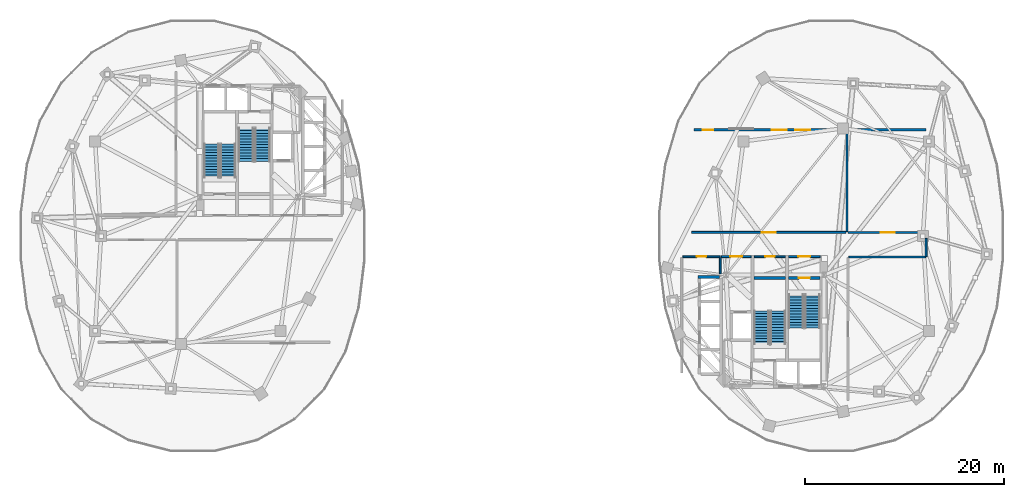
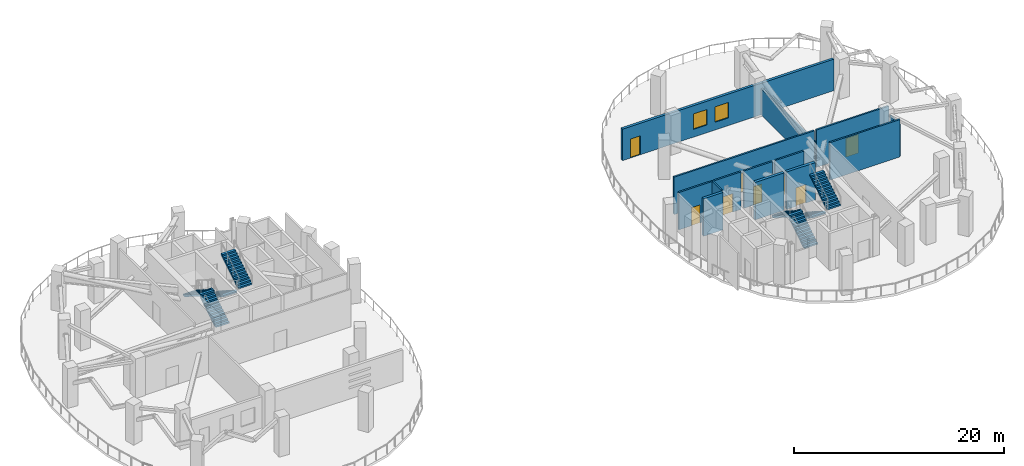
# One storey, part 7 of 12: 14 walls, 8 doors, 8 stair flights, 2 windows, 10 openings, 4 elements without a shape of their own.
"""IFC4 building model written with IfcOpenShell, lengths in metres."""

from ifc_helpers import new_model, si_unit, direction, frame, frame_2d, origin, place, context, subcontext, project, spatial, polyline, rectangle, outline, extrude, material, layer, layer_set, type_object, element, fill, aggregate, save


model = new_model("IFC4")

# Units and contexts
model_context = context("Model", 3, precision=1e-05, world=origin(), true_north=direction((0.0, 1.0)))
body_context = subcontext(model_context, "Body", "Model", "MODEL_VIEW")
ifc_project = project(units=[si_unit("LENGTHUNIT", "METRE"), si_unit("AREAUNIT", "SQUARE_METRE"), si_unit("VOLUMEUNIT", "CUBIC_METRE"), si_unit("PLANEANGLEUNIT", "RADIAN"), si_unit("MASSUNIT", "GRAM", prefix="KILO"), si_unit("THERMODYNAMICTEMPERATUREUNIT", "KELVIN"), si_unit("POWERUNIT", "WATT")], contexts=[model_context])

# Site, building, storey
site_placement = place(None, origin())
site = spatial("IfcSite", under=ifc_project, at=site_placement, CompositionType="ELEMENT")
building_placement = place(site_placement, origin())
building = spatial("IfcBuilding", under=site, at=building_placement, Name="Cundina Bronze Exchange", CompositionType="ELEMENT")
storey_placement = place(building_placement, frame((0.0, 0.0, 132.199951171875)))
storey = spatial("IfcBuildingStorey", under=building, at=storey_placement, Name="L34", CompositionType="ELEMENT", Elevation=132.199951171875)

# Wall
ifc_material_1 = material(Name="Gypsum Fireboard Partition EI120")
ifc_layer_1 = layer(ifc_material_1, 0.179931640625, Name="Gypsum Fireboard Partition EI120")
ifc_layer_set_1 = layer_set([ifc_layer_1], Name="Gypsum Fireboard Partition EI120")
wall_type_1 = type_object("IfcWallType", Name="WL-COR-180", PredefinedType="PARTITIONING", material=ifc_layer_set_1)
wall_1_placement = place(storey_placement, frame((20.889892578125, -3.800048828125, 0.0), z_axis=(0.0, 0.0, 1.0), x_axis=(0.0, 1.0, 0.0)))
element("IfcWall", 1, at=wall_1_placement, inside=storey, type_object=wall_type_1, Name="L34 E Firefighting Lobby Side Wall", PredefinedType="PARTITIONING", context=body_context, shape_type="SweptSolid", body=[
    extrude(rectangle(XDim=1.650146484375, YDim=0.179931640625, at=frame_2d((0.8251953125, 0.0))), origin(), (0.0, 0.0, 1.0), 4.360107421875),
])

# Wall, opening, door
wall_2_placement = place(storey_placement, frame((20.97998046875, -2.06005859375, 0.0), z_axis=(0.0, 0.0, 1.0), x_axis=(1.0, 0.0, 0.0)))
wall_2 = element("IfcWall", 2, at=wall_2_placement, inside=storey, type_object=wall_type_1, Name="L34 E Firefighting Lobby Exit Wall", PredefinedType="PARTITIONING", context=body_context, shape_type="SweptSolid", body=[
    extrude(rectangle(XDim=3.0, YDim=0.179931640625, at=frame_2d((1.5, 0.0))), origin(), (0.0, 0.0, 1.0), 4.360107421875),
])
opening_1_placement = place(wall_2_placement, frame((0.89990234375, 0.0, 0.0)))
opening_1 = element("IfcOpeningElement", 3, at=opening_1_placement, cuts=wall_2, Name="Opening DF-01", PredefinedType="OPENING", context=body_context, shape_type="SweptSolid", body=[
    extrude(rectangle(XDim=1.199951171875, YDim=2.14990234375, at=frame_2d((0.60009765625, 1.074951171875))), frame((0.0, 0.099853515625, 0.0), z_axis=(0.0, -1.0, 0.0), x_axis=(1.0, 0.0, 0.0)), (0.0, 0.0, 1.0), 0.199951171875),
])
ifc_material_2 = material(Name="Steel ASTM A36 Painted", Category="steel")
door_type_1 = type_object("IfcDoorType", Name="DR-FFL-1200", OperationType="NOTDEFINED", PredefinedType="DOOR", material=ifc_material_2)
door_1_placement = place(opening_1_placement, origin())
door_1 = element("IfcDoor", 4, at=door_1_placement, inside=storey, type_object=door_type_1, Name="L34 E Firefighting Lobby Door", OperationType="SINGLE_SWING_LEFT", OverallHeight=2.14990234375, OverallWidth=1.199951171875, PredefinedType="DOOR", context=body_context, shape_type="SweptSolid", body=[
    extrude(rectangle(XDim=1.199951171875, YDim=2.14990234375, at=frame_2d((0.60009765625, 1.074951171875))), frame((0.0, 0.02490234375, 0.0), z_axis=(0.0, -1.0, 0.0), x_axis=(1.0, 0.0, 0.0)), (0.0, 0.0, 1.0), 0.050048828125),
])
fill(opening_1, door_1)

wall_3_placement = place(storey_placement, frame((27.739990234375, -2.06005859375, 0.0), z_axis=(0.0, 0.0, 1.0), x_axis=(1.0, 0.0, 0.0)))
wall_3 = element("IfcWall", 5, at=wall_3_placement, inside=storey, type_object=wall_type_1, Name="L34 E Stair Vestibule Exit Wall", PredefinedType="PARTITIONING", context=body_context, shape_type="SweptSolid", body=[
    extrude(rectangle(XDim=3.159912109375, YDim=0.179931640625, at=frame_2d((1.580078125, 0.0))), origin(), (0.0, 0.0, 1.0), 4.360107421875),
])
opening_2_placement = place(wall_3_placement, frame((0.97998046875, 0.0, 0.0)))
opening_2 = element("IfcOpeningElement", 6, at=opening_2_placement, cuts=wall_3, Name="Opening DF-01", PredefinedType="OPENING", context=body_context, shape_type="SweptSolid", body=[
    extrude(rectangle(XDim=1.199951171875, YDim=2.14990234375, at=frame_2d((0.60009765625, 1.074951171875))), frame((0.0, 0.099853515625, 0.0), z_axis=(0.0, -1.0, 0.0), x_axis=(1.0, 0.0, 0.0)), (0.0, 0.0, 1.0), 0.199951171875),
])
door_2_placement = place(opening_2_placement, origin())
door_2 = element("IfcDoor", 7, at=door_2_placement, inside=storey, type_object=door_type_1, Name="L34 E Stair Vestibule Door", OperationType="SINGLE_SWING_RIGHT", OverallHeight=2.14990234375, OverallWidth=1.199951171875, PredefinedType="DOOR", context=body_context, shape_type="SweptSolid", body=[
    extrude(rectangle(XDim=1.199951171875, YDim=2.14990234375, at=frame_2d((0.60009765625, 1.074951171875))), frame((0.0, 0.02490234375, 0.0), z_axis=(0.0, -1.0, 0.0), x_axis=(1.0, 0.0, 0.0)), (0.0, 0.0, 1.0), 0.050048828125),
])
fill(opening_2, door_2)

wall_4_placement = place(storey_placement, frame((17.1201171875, -2.070068359375, 0.0), z_axis=(0.0, 0.0, 1.0), x_axis=(1.0, 0.0, 0.0)))
wall_4 = element("IfcWall", 8, at=wall_4_placement, inside=storey, type_object=wall_type_1, Name="L34 Interior Partition 015", PredefinedType="PARTITIONING", context=body_context, shape_type="SweptSolid", body=[
    extrude(rectangle(XDim=3.75, YDim=0.179931640625, at=frame_2d((1.875, 0.0))), origin(), (0.0, 0.0, 1.0), 4.360107421875),
])
opening_3_placement = place(wall_4_placement, frame((1.39990234375, 0.0, 0.0)))
opening_3 = element("IfcOpeningElement", 9, at=opening_3_placement, cuts=wall_4, Name="Opening DW-01", PredefinedType="OPENING", context=body_context, shape_type="SweptSolid", body=[
    extrude(rectangle(XDim=0.949951171875, YDim=2.10009765625, at=frame_2d((0.47509765625, 1.050048828125))), frame((0.0, 0.099853515625, 0.0), z_axis=(0.0, -1.0, 0.0), x_axis=(1.0, 0.0, 0.0)), (0.0, 0.0, 1.0), 0.199951171875),
])
ifc_material_3 = material(Name="Solid Andean Oak Timber Grade A", Category="wood")
door_type_2 = type_object("IfcDoorType", Name="DR-WC-950", OperationType="NOTDEFINED", PredefinedType="DOOR", material=ifc_material_3)
door_3_placement = place(opening_3_placement, origin())
door_3 = element("IfcDoor", 10, at=door_3_placement, inside=storey, type_object=door_type_2, Name="L34 Interior Door 015", OperationType="SINGLE_SWING_RIGHT", OverallHeight=2.10009765625, OverallWidth=0.949951171875, PredefinedType="DOOR", context=body_context, shape_type="SweptSolid", body=[
    extrude(rectangle(XDim=0.949951171875, YDim=2.10009765625, at=frame_2d((0.47509765625, 1.050048828125))), frame((0.0, 0.02490234375, 0.0), z_axis=(0.0, -1.0, 0.0), x_axis=(1.0, 0.0, 0.0)), (0.0, 0.0, 1.0), 0.050048828125),
])
fill(opening_3, door_3)

wall_5_placement = place(storey_placement, frame((24.300048828125, -2.070068359375, 0.0), z_axis=(0.0, 0.0, 1.0), x_axis=(1.0, 0.0, 0.0)))
wall_5 = element("IfcWall", 11, at=wall_5_placement, inside=storey, type_object=wall_type_1, Name="L34 Interior Partition 019", PredefinedType="PARTITIONING", context=body_context, shape_type="SweptSolid", body=[
    extrude(rectangle(XDim=3.119873046875, YDim=0.179931640625, at=frame_2d((1.56005859375, 0.0))), origin(), (0.0, 0.0, 1.0), 4.360107421875),
])
opening_4_placement = place(wall_5_placement, frame((1.0849609375, 0.0, 0.0)))
opening_4 = element("IfcOpeningElement", 12, at=opening_4_placement, cuts=wall_5, Name="Opening DW-01", PredefinedType="OPENING", context=body_context, shape_type="SweptSolid", body=[
    extrude(rectangle(XDim=0.949951171875, YDim=2.10009765625, at=frame_2d((0.47509765625, 1.050048828125))), frame((0.0, 0.099853515625, 0.0), z_axis=(0.0, -1.0, 0.0), x_axis=(1.0, 0.0, 0.0)), (0.0, 0.0, 1.0), 0.199951171875),
])
door_4_placement = place(opening_4_placement, origin())
door_4 = element("IfcDoor", 13, at=door_4_placement, inside=storey, type_object=door_type_2, Name="L34 Interior Door 019", OperationType="SINGLE_SWING_RIGHT", OverallHeight=2.10009765625, OverallWidth=0.949951171875, PredefinedType="DOOR", context=body_context, shape_type="SweptSolid", body=[
    extrude(rectangle(XDim=0.949951171875, YDim=2.10009765625, at=frame_2d((0.47509765625, 1.050048828125))), frame((0.0, 0.02490234375, 0.0), z_axis=(0.0, -1.0, 0.0), x_axis=(1.0, 0.0, 0.0)), (0.0, 0.0, 1.0), 0.050048828125),
])
fill(opening_4, door_4)

wall_6_placement = place(storey_placement, frame((33.47998046875, 0.3701171875, 0.0), z_axis=(0.0, 0.0, 1.0), x_axis=(-1.0, 0.0, 0.0)))
wall_6 = element("IfcWall", 14, at=wall_6_placement, inside=storey, type_object=wall_type_1, Name="L34 Interior Partition 021", PredefinedType="PARTITIONING", context=body_context, shape_type="SweptSolid", body=[
    extrude(rectangle(XDim=15.4599609375, YDim=0.179931640625, at=frame_2d((7.72998046875, 0.0))), origin(), (0.0, 0.0, 1.0), 4.360107421875),
])
opening_5_placement = place(wall_6_placement, frame((7.030029296875, 0.0, 0.0)))
opening_5 = element("IfcOpeningElement", 15, at=opening_5_placement, cuts=wall_6, Name="Opening DP-01", PredefinedType="OPENING", context=body_context, shape_type="SweptSolid", body=[
    extrude(rectangle(XDim=1.39990234375, YDim=2.199951171875, at=frame_2d((0.699951171875, 1.10009765625))), frame((0.0, 0.099853515625, 0.0), z_axis=(0.0, -1.0, 0.0), x_axis=(1.0, 0.0, 0.0)), (0.0, 0.0, 1.0), 0.199951171875),
])
door_type_3 = type_object("IfcDoorType", Name="DR-PLT-1400", OperationType="NOTDEFINED", PredefinedType="DOOR", material=ifc_material_2)
door_5_placement = place(opening_5_placement, origin())
door_5 = element("IfcDoor", 16, at=door_5_placement, inside=storey, type_object=door_type_3, Name="L34 Interior Door 021", OperationType="SINGLE_SWING_RIGHT", OverallHeight=2.199951171875, OverallWidth=1.39990234375, PredefinedType="DOOR", context=body_context, shape_type="SweptSolid", body=[
    extrude(rectangle(XDim=1.39990234375, YDim=2.199951171875, at=frame_2d((0.699951171875, 1.10009765625))), frame((0.0, 0.02490234375, 0.0), z_axis=(0.0, -1.0, 0.0), x_axis=(1.0, 0.0, 0.0)), (0.0, 0.0, 1.0), 0.050048828125),
])
fill(opening_5, door_5)

wall_7_placement = place(storey_placement, frame((41.65869140625, 0.3701171875, 0.0), z_axis=(0.0, 0.0, 1.0), x_axis=(-1.0, 0.0, 0.0)))
wall_7 = element("IfcWall", 17, at=wall_7_placement, inside=storey, type_object=wall_type_1, Name="L34 Interior Partition 022", PredefinedType="PARTITIONING", context=body_context, shape_type="SweptSolid", body=[
    extrude(rectangle(XDim=7.978759765625, YDim=0.179931640625, at=frame_2d((3.9892578125, 0.0))), origin(), (0.0, 0.0, 1.0), 4.360107421875),
])
opening_6_placement = place(wall_7_placement, frame((3.289306640625, 0.0, 0.0)))
opening_6 = element("IfcOpeningElement", 18, at=opening_6_placement, cuts=wall_7, Name="Opening DP-01", PredefinedType="OPENING", context=body_context, shape_type="SweptSolid", body=[
    extrude(rectangle(XDim=1.39990234375, YDim=2.199951171875, at=frame_2d((0.699951171875, 1.10009765625))), frame((0.0, 0.099853515625, 0.0), z_axis=(0.0, -1.0, 0.0), x_axis=(1.0, 0.0, 0.0)), (0.0, 0.0, 1.0), 0.199951171875),
])
door_6_placement = place(opening_6_placement, origin())
door_6 = element("IfcDoor", 19, at=door_6_placement, inside=storey, type_object=door_type_3, Name="L34 Interior Door 022", OperationType="SINGLE_SWING_RIGHT", OverallHeight=2.199951171875, OverallWidth=1.39990234375, PredefinedType="DOOR", context=body_context, shape_type="SweptSolid", body=[
    extrude(rectangle(XDim=1.39990234375, YDim=2.199951171875, at=frame_2d((0.699951171875, 1.10009765625))), frame((0.0, 0.02490234375, 0.0), z_axis=(0.0, -1.0, 0.0), x_axis=(1.0, 0.0, 0.0)), (0.0, 0.0, 1.0), 0.050048828125),
])
fill(opening_6, door_6)

# Walls
wall_8_placement = place(storey_placement, frame((33.77001953125, -2.10009765625, 0.0), z_axis=(0.0, 0.0, 1.0), x_axis=(1.0, 0.0, 0.0)))
element("IfcWall", 20, at=wall_8_placement, inside=storey, type_object=wall_type_1, Name="L34 Interior Partition 024", PredefinedType="PARTITIONING", context=body_context, shape_type="SweptSolid", body=[
    extrude(rectangle(XDim=7.70849609375, YDim=0.179931640625, at=frame_2d((3.854248046875, 0.0))), origin(), (0.0, 0.0, 1.0), 4.360107421875),
])
wall_9_placement = place(storey_placement, frame((41.52001953125, -2.05859375, 0.0), z_axis=(0.0, 0.0, 1.0), x_axis=(0.0, 1.0, 0.0)))
element("IfcWall", 21, at=wall_9_placement, inside=storey, type_object=wall_type_1, Name="L34 Interior Partition 025", PredefinedType="PARTITIONING", context=body_context, shape_type="SweptSolid", body=[
    extrude(rectangle(XDim=1.838623046875, YDim=0.179931640625, at=frame_2d((0.91943359375, 0.0))), origin(), (0.0, 0.0, 1.0), 3.6650390625),
])
wall_10_placement = place(storey_placement, frame((33.580078125, 0.43994140625, 0.0), z_axis=(0.0, 0.0, 1.0), x_axis=(0.0, 1.0, 0.0)))
element("IfcWall", 22, at=wall_10_placement, inside=storey, type_object=wall_type_1, Name="L34 Interior Partition 026", PredefinedType="PARTITIONING", context=body_context, shape_type="SweptSolid", body=[
    extrude(rectangle(XDim=10.16015625, YDim=0.179931640625, at=frame_2d((5.080078125, 0.0))), origin(), (0.0, 0.0, 1.0), 3.054931640625),
])

# Wall, openings, door, windows
ifc_material_4 = material(Name="Precast Concrete C45/55", Category="concrete")
ifc_layer_2 = layer(ifc_material_4, 0.280029296875, Name="Precast Concrete C45/55", Category="concrete")
ifc_layer_set_2 = layer_set([ifc_layer_2], Name="Precast Concrete C45/55")
wall_type_2 = type_object("IfcWallType", Name="WL-EXT-280", PredefinedType="SOLIDWALL", material=ifc_layer_set_2)
wall_11_placement = place(storey_placement, frame((18.25, 10.64990234375, 0.0), z_axis=(0.0, 0.0, 1.0), x_axis=(1.0, 0.0, 0.0)))
wall_11 = element("IfcWall", 23, at=wall_11_placement, inside=storey, type_object=wall_type_2, Name="L34 Leg E Refuge Veranda Weather Wall", PredefinedType="SOLIDWALL", context=body_context, shape_type="SweptSolid", body=[
    extrude(rectangle(XDim=23.25, YDim=0.280029296875, at=frame_2d((11.625, 0.0))), origin(), (0.0, 0.0, 1.0), 3.6650390625),
])
opening_7_placement = place(wall_11_placement, frame((0.85009765625, 0.0, 0.0)))
opening_7 = element("IfcOpeningElement", 24, at=opening_7_placement, cuts=wall_11, Name="Opening DT-01", PredefinedType="OPENING", context=body_context, shape_type="SweptSolid", body=[
    extrude(rectangle(XDim=1.10009765625, YDim=2.199951171875, at=frame_2d((0.550048828125, 1.10009765625))), frame((0.0, 0.14990234375, 0.0), z_axis=(0.0, -1.0, 0.0), x_axis=(1.0, 0.0, 0.0)), (0.0, 0.0, 1.0), 0.300048828125),
])
opening_8_placement = place(wall_11_placement, frame((7.800048828125, 0.0, 0.89990234375)))
opening_8 = element("IfcOpeningElement", 25, at=opening_8_placement, cuts=wall_11, Name="Opening W-03", PredefinedType="OPENING", context=body_context, shape_type="SweptSolid", body=[
    extrude(rectangle(XDim=1.5, YDim=1.800048828125, at=frame_2d((0.75, 0.89990234375))), frame((0.0, 0.14990234375, 0.0), z_axis=(0.0, -1.0, 0.0), x_axis=(1.0, 0.0, 0.0)), (0.0, 0.0, 1.0), 0.300048828125),
])
opening_9_placement = place(wall_11_placement, frame((10.14990234375, 0.0, 0.89990234375)))
opening_9 = element("IfcOpeningElement", 26, at=opening_9_placement, cuts=wall_11, Name="Opening W-03", PredefinedType="OPENING", context=body_context, shape_type="SweptSolid", body=[
    extrude(rectangle(XDim=1.5, YDim=1.800048828125, at=frame_2d((0.75, 0.89990234375))), frame((0.0, 0.14990234375, 0.0), z_axis=(0.0, -1.0, 0.0), x_axis=(1.0, 0.0, 0.0)), (0.0, 0.0, 1.0), 0.300048828125),
])
ifc_material_5 = material(Name="Anodised Bronze Aluminium 6063-T6", Category="aluminium")
door_type_4 = type_object("IfcDoorType", Name="DR-TER-1100", OperationType="NOTDEFINED", PredefinedType="DOOR", material=ifc_material_5)
door_7_placement = place(opening_7_placement, origin())
door_7 = element("IfcDoor", 27, at=door_7_placement, inside=storey, type_object=door_type_4, Name="L34 Leg E Open Refuge Veranda Door", OperationType="SINGLE_SWING_RIGHT", OverallHeight=2.199951171875, OverallWidth=1.10009765625, PredefinedType="DOOR", context=body_context, shape_type="SweptSolid", body=[
    extrude(rectangle(XDim=1.10009765625, YDim=2.199951171875, at=frame_2d((0.550048828125, 1.10009765625))), frame((0.0, 0.02490234375, 0.0), z_axis=(0.0, -1.0, 0.0), x_axis=(1.0, 0.0, 0.0)), (0.0, 0.0, 1.0), 0.050048828125),
])
fill(opening_7, door_7)
ifc_material_6 = material(Name="Heat-Strengthened Solar-Control Bronze Safety Glass 28mm", Category="glass")
window_type = type_object("IfcWindowType", Name="WN-REF-1500", PartitioningType="SINGLE_PANEL", PredefinedType="WINDOW", material=ifc_material_6)
window_1_placement = place(opening_8_placement, origin())
window_1 = element("IfcWindow", 28, at=window_1_placement, inside=storey, type_object=window_type, Name="L34 Leg E Refuge Plant Window 1", OverallHeight=1.800048828125, OverallWidth=1.5, PartitioningType="SINGLE_PANEL", PredefinedType="WINDOW", context=body_context, shape_type="SweptSolid", body=[
    extrude(rectangle(XDim=1.5, YDim=1.800048828125, at=frame_2d((0.75, 0.89990234375))), frame((0.0, 0.030029296875, 0.0), z_axis=(0.0, -1.0, 0.0), x_axis=(1.0, 0.0, 0.0)), (0.0, 0.0, 1.0), 0.06005859375),
])
fill(opening_8, window_1)
window_2_placement = place(opening_9_placement, origin())
window_2 = element("IfcWindow", 29, at=window_2_placement, inside=storey, type_object=window_type, Name="L34 Leg E Refuge Plant Window 2", OverallHeight=1.800048828125, OverallWidth=1.5, PartitioningType="SINGLE_PANEL", PredefinedType="WINDOW", context=body_context, shape_type="SweptSolid", body=[
    extrude(rectangle(XDim=1.5, YDim=1.800048828125, at=frame_2d((0.75, 0.89990234375))), frame((0.0, 0.030029296875, 0.0), z_axis=(0.0, -1.0, 0.0), x_axis=(1.0, 0.0, 0.0)), (0.0, 0.0, 1.0), 0.06005859375),
])
fill(opening_9, window_2)

# Wall, opening, door
ifc_material_7 = material(Name="Concrete C50/60", Category="concrete")
ifc_layer_3 = layer(ifc_material_7, 0.300048828125, Name="Concrete C50/60", Category="concrete")
ifc_layer_set_3 = layer_set([ifc_layer_3], Name="Concrete C50/60")
wall_type_3 = type_object("IfcWallType", Name="WL-SHFT-300", PredefinedType="SHEAR", material=ifc_layer_set_3)
wall_12_placement = place(storey_placement, frame((27.739990234375, -4.199951171875, 0.0), z_axis=(0.0, 0.0, 1.0), x_axis=(1.0, 0.0, 0.0)))
wall_12 = element("IfcWall", 30, at=wall_12_placement, inside=storey, type_object=wall_type_3, Name="L34 Stair E1 Landing Wall", PredefinedType="SHEAR", context=body_context, shape_type="SweptSolid", body=[
    extrude(rectangle(XDim=3.159912109375, YDim=0.300048828125, at=frame_2d((1.580078125, 0.0))), origin(), (0.0, 0.0, 1.0), 4.360107421875),
])
opening_10_placement = place(wall_12_placement, frame((1.030029296875, 0.0, 0.0)))
opening_10 = element("IfcOpeningElement", 31, at=opening_10_placement, cuts=wall_12, Name="Opening DS-01", PredefinedType="OPENING", context=body_context, shape_type="SweptSolid", body=[
    extrude(rectangle(XDim=1.10009765625, YDim=2.14990234375, at=frame_2d((0.550048828125, 1.074951171875))), frame((0.0, 0.159912109375, 0.0), z_axis=(0.0, -1.0, 0.0), x_axis=(1.0, 0.0, 0.0)), (0.0, 0.0, 1.0), 0.320068359375),
])
door_type_5 = type_object("IfcDoorType", Name="DR-STR-1100", OperationType="NOTDEFINED", PredefinedType="DOOR", material=ifc_material_2)
door_8_placement = place(opening_10_placement, origin())
door_8 = element("IfcDoor", 32, at=door_8_placement, inside=storey, type_object=door_type_5, Name="L34 Smokeproof Stair E1 Door", OperationType="SINGLE_SWING_LEFT", OverallHeight=2.14990234375, OverallWidth=1.10009765625, PredefinedType="DOOR", context=body_context, shape_type="SweptSolid", body=[
    extrude(rectangle(XDim=1.10009765625, YDim=2.14990234375, at=frame_2d((0.550048828125, 1.074951171875))), frame((0.0, 0.02490234375, 0.0), z_axis=(0.0, -1.0, 0.0), x_axis=(1.0, 0.0, 0.0)), (0.0, 0.0, 1.0), 0.050048828125),
])
fill(opening_10, door_8)

# Walls
wall_13_placement = place(storey_placement, frame((24.280029296875, -4.199951171875, 0.0), z_axis=(0.0, 0.0, 1.0), x_axis=(1.0, 0.0, 0.0)))
element("IfcWall", 33, at=wall_13_placement, inside=storey, type_object=wall_type_3, Name="L34 Stair E2 Far Shaft Wall", PredefinedType="SHEAR", context=body_context, shape_type="SweptSolid", body=[
    extrude(rectangle(XDim=3.159912109375, YDim=0.300048828125, at=frame_2d((1.580078125, 0.0))), origin(), (0.0, 0.0, 1.0), 4.360107421875),
])
wall_14_placement = place(storey_placement, frame((18.64990234375, -4.10009765625, 0.0), z_axis=(0.0, 0.0, 1.0), x_axis=(1.0, 0.0, 0.0)))
element("IfcWall", 34, at=wall_14_placement, inside=storey, type_object=wall_type_3, Name="L34 E Passenger Bank North Cap Wall", PredefinedType="SHEAR", context=body_context, shape_type="SweptSolid", body=[
    extrude(rectangle(XDim=2.150146484375, YDim=0.300048828125, at=frame_2d((1.0751953125, 0.0))), origin(), (0.0, 0.0, 1.0), 4.360107421875),
])

# Stair, stair flights
ifc_material_8 = material(Name="Concrete C40/50", Category="concrete")
stair_type = type_object("IfcStairType", Name="STR-REF-460", PredefinedType="HALF_TURN_STAIR", material=ifc_material_8)
stair_1_placement = place(storey_placement, origin())
stair_1 = element("IfcStair", 35, at=stair_1_placement, inside=storey, type_object=stair_type, Name="L34 Smokeproof Exit Stair W1", PredefinedType="HALF_TURN_STAIR")
stair_flight_type = type_object("IfcStairFlightType", Name="FLG-REF-230", PredefinedType="STRAIGHT", material=ifc_material_8)
stair_flight_1_placement = place(storey_placement, frame((-28.489990234375, 5.85009765625, 0.0), z_axis=(0.0, 0.0, 1.0), x_axis=(0.0, 1.0, 0.0)))
stair_flight_1 = element("IfcStairFlight", 36, at=stair_flight_1_placement, type_object=stair_flight_type, Name="ST-W1 flight 1", NumberOfRisers=13, NumberOfTreads=12, PredefinedType="STRAIGHT", RiserHeight=0.176923077, TreadLength=0.28, context=body_context, shape_type="SweptSolid", body=[
    extrude(outline(polyline([(0.0, 0.0), (0.0, 0.177001953125), (0.280029296875, 0.177001953125), (0.280029296875, 0.353759765625), (0.56005859375, 0.353759765625), (0.56005859375, 0.53076171875), (0.840087890625, 0.53076171875), (0.840087890625, 0.707763671875), (1.1201171875, 0.707763671875), (1.1201171875, 0.884521484375), (1.39990234375, 0.884521484375), (1.39990234375, 1.0615234375), (1.679931640625, 1.0615234375), (1.679931640625, 1.238525390625), (1.9599609375, 1.238525390625), (1.9599609375, 1.415283203125), (2.239990234375, 1.415283203125), (2.239990234375, 1.59228515625), (2.52001953125, 1.59228515625), (2.52001953125, 1.769287109375), (2.800048828125, 1.769287109375), (2.800048828125, 1.946044921875), (3.080078125, 1.946044921875), (3.080078125, 2.123046875), (3.360107421875, 2.123046875), (3.360107421875, 2.300048828125), (3.360107421875, 1.94580078125), (0.280517578125, 0.0), (0.0, 0.0)])), frame((0.0, 0.75, 0.0), z_axis=(0.0, -1.0, 0.0), x_axis=(1.0, 0.0, 0.0)), (0.0, 0.0, 1.0), 1.5),
])
stair_flight_2_placement = place(storey_placement, frame((-30.14990234375, 9.2099609375, 2.300048828125), z_axis=(0.0, 0.0, 1.0), x_axis=(0.0, -1.0, 0.0)))
stair_flight_2 = element("IfcStairFlight", 37, at=stair_flight_2_placement, type_object=stair_flight_type, Name="ST-W1 flight 2", NumberOfRisers=13, NumberOfTreads=12, PredefinedType="STRAIGHT", RiserHeight=0.176923077, TreadLength=0.28, context=body_context, shape_type="SweptSolid", body=[
    extrude(outline(polyline([(0.0, 0.0), (0.0, 0.177001953125), (0.280029296875, 0.177001953125), (0.280029296875, 0.353759765625), (0.56005859375, 0.353759765625), (0.56005859375, 0.53076171875), (0.840087890625, 0.53076171875), (0.840087890625, 0.707763671875), (1.1201171875, 0.707763671875), (1.1201171875, 0.884521484375), (1.39990234375, 0.884521484375), (1.39990234375, 1.0615234375), (1.679931640625, 1.0615234375), (1.679931640625, 1.238525390625), (1.9599609375, 1.238525390625), (1.9599609375, 1.415283203125), (2.239990234375, 1.415283203125), (2.239990234375, 1.59228515625), (2.52001953125, 1.59228515625), (2.52001953125, 1.769287109375), (2.800048828125, 1.769287109375), (2.800048828125, 1.946044921875), (3.080078125, 1.946044921875), (3.080078125, 2.123046875), (3.360107421875, 2.123046875), (3.360107421875, 2.300048828125), (3.360107421875, 1.94580078125), (0.280517578125, 0.0), (0.0, 0.0)])), frame((0.0, 0.75, 0.0), z_axis=(0.0, -1.0, 0.0), x_axis=(1.0, 0.0, 0.0)), (0.0, 0.0, 1.0), 1.5),
])
aggregate(stair_1, [stair_flight_1, stair_flight_2])

stair_2_placement = place(storey_placement, origin())
stair_2 = element("IfcStair", 38, at=stair_2_placement, inside=storey, type_object=stair_type, Name="L34 Smokeproof Exit Stair W2", PredefinedType="HALF_TURN_STAIR")
stair_flight_3_placement = place(storey_placement, frame((-26.68994140625, 10.85009765625, 0.0), z_axis=(0.0, 0.0, 1.0), x_axis=(0.0, -1.0, 0.0)))
stair_flight_3 = element("IfcStairFlight", 39, at=stair_flight_3_placement, type_object=stair_flight_type, Name="ST-W2 flight 1", NumberOfRisers=13, NumberOfTreads=12, PredefinedType="STRAIGHT", RiserHeight=0.176923077, TreadLength=0.28, context=body_context, shape_type="SweptSolid", body=[
    extrude(outline(polyline([(0.0, 0.0), (0.0, 0.177001953125), (0.280029296875, 0.177001953125), (0.280029296875, 0.353759765625), (0.56005859375, 0.353759765625), (0.56005859375, 0.53076171875), (0.840087890625, 0.53076171875), (0.840087890625, 0.707763671875), (1.1201171875, 0.707763671875), (1.1201171875, 0.884521484375), (1.39990234375, 0.884521484375), (1.39990234375, 1.0615234375), (1.679931640625, 1.0615234375), (1.679931640625, 1.238525390625), (1.9599609375, 1.238525390625), (1.9599609375, 1.415283203125), (2.239990234375, 1.415283203125), (2.239990234375, 1.59228515625), (2.52001953125, 1.59228515625), (2.52001953125, 1.769287109375), (2.800048828125, 1.769287109375), (2.800048828125, 1.946044921875), (3.080078125, 1.946044921875), (3.080078125, 2.123046875), (3.360107421875, 2.123046875), (3.360107421875, 2.300048828125), (3.360107421875, 1.94580078125), (0.280517578125, 0.0), (0.0, 0.0)])), frame((0.0, 0.75, 0.0), z_axis=(0.0, -1.0, 0.0), x_axis=(1.0, 0.0, 0.0)), (0.0, 0.0, 1.0), 1.5),
])
stair_flight_4_placement = place(storey_placement, frame((-25.030029296875, 7.489990234375, 2.300048828125), z_axis=(0.0, 0.0, 1.0), x_axis=(0.0, 1.0, 0.0)))
stair_flight_4 = element("IfcStairFlight", 40, at=stair_flight_4_placement, type_object=stair_flight_type, Name="ST-W2 flight 2", NumberOfRisers=13, NumberOfTreads=12, PredefinedType="STRAIGHT", RiserHeight=0.176923077, TreadLength=0.28, context=body_context, shape_type="SweptSolid", body=[
    extrude(outline(polyline([(0.0, 0.0), (0.0, 0.177001953125), (0.280029296875, 0.177001953125), (0.280029296875, 0.353759765625), (0.56005859375, 0.353759765625), (0.56005859375, 0.53076171875), (0.840087890625, 0.53076171875), (0.840087890625, 0.707763671875), (1.1201171875, 0.707763671875), (1.1201171875, 0.884521484375), (1.39990234375, 0.884521484375), (1.39990234375, 1.0615234375), (1.679931640625, 1.0615234375), (1.679931640625, 1.238525390625), (1.9599609375, 1.238525390625), (1.9599609375, 1.415283203125), (2.239990234375, 1.415283203125), (2.239990234375, 1.59228515625), (2.52001953125, 1.59228515625), (2.52001953125, 1.769287109375), (2.800048828125, 1.769287109375), (2.800048828125, 1.946044921875), (3.080078125, 1.946044921875), (3.080078125, 2.123046875), (3.360107421875, 2.123046875), (3.360107421875, 2.300048828125), (3.360107421875, 1.94580078125), (0.280517578125, 0.0), (0.0, 0.0)])), frame((0.0, 0.75, 0.0), z_axis=(0.0, -1.0, 0.0), x_axis=(1.0, 0.0, 0.0)), (0.0, 0.0, 1.0), 1.5),
])
aggregate(stair_2, [stair_flight_3, stair_flight_4])

stair_3_placement = place(storey_placement, origin())
stair_3 = element("IfcStair", 41, at=stair_3_placement, inside=storey, type_object=stair_type, Name="L34 Smokeproof Exit Stair E1", PredefinedType="HALF_TURN_STAIR")
stair_flight_5_placement = place(storey_placement, frame((28.489990234375, -5.85009765625, 0.0), z_axis=(0.0, 0.0, 1.0), x_axis=(0.0, -1.0, 0.0)))
stair_flight_5 = element("IfcStairFlight", 42, at=stair_flight_5_placement, type_object=stair_flight_type, Name="ST-E1 flight 1", NumberOfRisers=13, NumberOfTreads=12, PredefinedType="STRAIGHT", RiserHeight=0.176923077, TreadLength=0.28, context=body_context, shape_type="SweptSolid", body=[
    extrude(outline(polyline([(0.0, 0.0), (0.0, 0.177001953125), (0.280029296875, 0.177001953125), (0.280029296875, 0.353759765625), (0.56005859375, 0.353759765625), (0.56005859375, 0.53076171875), (0.840087890625, 0.53076171875), (0.840087890625, 0.707763671875), (1.1201171875, 0.707763671875), (1.1201171875, 0.884521484375), (1.39990234375, 0.884521484375), (1.39990234375, 1.0615234375), (1.679931640625, 1.0615234375), (1.679931640625, 1.238525390625), (1.9599609375, 1.238525390625), (1.9599609375, 1.415283203125), (2.239990234375, 1.415283203125), (2.239990234375, 1.59228515625), (2.52001953125, 1.59228515625), (2.52001953125, 1.769287109375), (2.800048828125, 1.769287109375), (2.800048828125, 1.946044921875), (3.080078125, 1.946044921875), (3.080078125, 2.123046875), (3.360107421875, 2.123046875), (3.360107421875, 2.300048828125), (3.360107421875, 1.94580078125), (0.280517578125, 0.0), (0.0, 0.0)])), frame((0.0, 0.75, 0.0), z_axis=(0.0, -1.0, 0.0), x_axis=(1.0, 0.0, 0.0)), (0.0, 0.0, 1.0), 1.5),
])
stair_flight_6_placement = place(storey_placement, frame((30.14990234375, -9.2099609375, 2.300048828125), z_axis=(0.0, 0.0, 1.0), x_axis=(0.0, 1.0, 0.0)))
stair_flight_6 = element("IfcStairFlight", 43, at=stair_flight_6_placement, type_object=stair_flight_type, Name="ST-E1 flight 2", NumberOfRisers=13, NumberOfTreads=12, PredefinedType="STRAIGHT", RiserHeight=0.176923077, TreadLength=0.28, context=body_context, shape_type="SweptSolid", body=[
    extrude(outline(polyline([(0.0, 0.0), (0.0, 0.177001953125), (0.280029296875, 0.177001953125), (0.280029296875, 0.353759765625), (0.56005859375, 0.353759765625), (0.56005859375, 0.53076171875), (0.840087890625, 0.53076171875), (0.840087890625, 0.707763671875), (1.1201171875, 0.707763671875), (1.1201171875, 0.884521484375), (1.39990234375, 0.884521484375), (1.39990234375, 1.0615234375), (1.679931640625, 1.0615234375), (1.679931640625, 1.238525390625), (1.9599609375, 1.238525390625), (1.9599609375, 1.415283203125), (2.239990234375, 1.415283203125), (2.239990234375, 1.59228515625), (2.52001953125, 1.59228515625), (2.52001953125, 1.769287109375), (2.800048828125, 1.769287109375), (2.800048828125, 1.946044921875), (3.080078125, 1.946044921875), (3.080078125, 2.123046875), (3.360107421875, 2.123046875), (3.360107421875, 2.300048828125), (3.360107421875, 1.94580078125), (0.280517578125, 0.0), (0.0, 0.0)])), frame((0.0, 0.75, 0.0), z_axis=(0.0, -1.0, 0.0), x_axis=(1.0, 0.0, 0.0)), (0.0, 0.0, 1.0), 1.5),
])
aggregate(stair_3, [stair_flight_5, stair_flight_6])

stair_4_placement = place(storey_placement, origin())
stair_4 = element("IfcStair", 44, at=stair_4_placement, inside=storey, type_object=stair_type, Name="L34 Smokeproof Exit Stair E2", PredefinedType="HALF_TURN_STAIR")
stair_flight_7_placement = place(storey_placement, frame((26.68994140625, -10.85009765625, 0.0), z_axis=(0.0, 0.0, 1.0), x_axis=(0.0, 1.0, 0.0)))
stair_flight_7 = element("IfcStairFlight", 45, at=stair_flight_7_placement, type_object=stair_flight_type, Name="ST-E2 flight 1", NumberOfRisers=13, NumberOfTreads=12, PredefinedType="STRAIGHT", RiserHeight=0.176923077, TreadLength=0.28, context=body_context, shape_type="SweptSolid", body=[
    extrude(outline(polyline([(0.0, 0.0), (0.0, 0.177001953125), (0.280029296875, 0.177001953125), (0.280029296875, 0.353759765625), (0.56005859375, 0.353759765625), (0.56005859375, 0.53076171875), (0.840087890625, 0.53076171875), (0.840087890625, 0.707763671875), (1.1201171875, 0.707763671875), (1.1201171875, 0.884521484375), (1.39990234375, 0.884521484375), (1.39990234375, 1.0615234375), (1.679931640625, 1.0615234375), (1.679931640625, 1.238525390625), (1.9599609375, 1.238525390625), (1.9599609375, 1.415283203125), (2.239990234375, 1.415283203125), (2.239990234375, 1.59228515625), (2.52001953125, 1.59228515625), (2.52001953125, 1.769287109375), (2.800048828125, 1.769287109375), (2.800048828125, 1.946044921875), (3.080078125, 1.946044921875), (3.080078125, 2.123046875), (3.360107421875, 2.123046875), (3.360107421875, 2.300048828125), (3.360107421875, 1.94580078125), (0.280517578125, 0.0), (0.0, 0.0)])), frame((0.0, 0.75, 0.0), z_axis=(0.0, -1.0, 0.0), x_axis=(1.0, 0.0, 0.0)), (0.0, 0.0, 1.0), 1.5),
])
stair_flight_8_placement = place(storey_placement, frame((25.030029296875, -7.489990234375, 2.300048828125), z_axis=(0.0, 0.0, 1.0), x_axis=(0.0, -1.0, 0.0)))
stair_flight_8 = element("IfcStairFlight", 46, at=stair_flight_8_placement, type_object=stair_flight_type, Name="ST-E2 flight 2", NumberOfRisers=13, NumberOfTreads=12, PredefinedType="STRAIGHT", RiserHeight=0.176923077, TreadLength=0.28, context=body_context, shape_type="SweptSolid", body=[
    extrude(outline(polyline([(0.0, 0.0), (0.0, 0.177001953125), (0.280029296875, 0.177001953125), (0.280029296875, 0.353759765625), (0.56005859375, 0.353759765625), (0.56005859375, 0.53076171875), (0.840087890625, 0.53076171875), (0.840087890625, 0.707763671875), (1.1201171875, 0.707763671875), (1.1201171875, 0.884521484375), (1.39990234375, 0.884521484375), (1.39990234375, 1.0615234375), (1.679931640625, 1.0615234375), (1.679931640625, 1.238525390625), (1.9599609375, 1.238525390625), (1.9599609375, 1.415283203125), (2.239990234375, 1.415283203125), (2.239990234375, 1.59228515625), (2.52001953125, 1.59228515625), (2.52001953125, 1.769287109375), (2.800048828125, 1.769287109375), (2.800048828125, 1.946044921875), (3.080078125, 1.946044921875), (3.080078125, 2.123046875), (3.360107421875, 2.123046875), (3.360107421875, 2.300048828125), (3.360107421875, 1.94580078125), (0.280517578125, 0.0), (0.0, 0.0)])), frame((0.0, 0.75, 0.0), z_axis=(0.0, -1.0, 0.0), x_axis=(1.0, 0.0, 0.0)), (0.0, 0.0, 1.0), 1.5),
])
aggregate(stair_4, [stair_flight_7, stair_flight_8])

save(model, "model.ifc")
